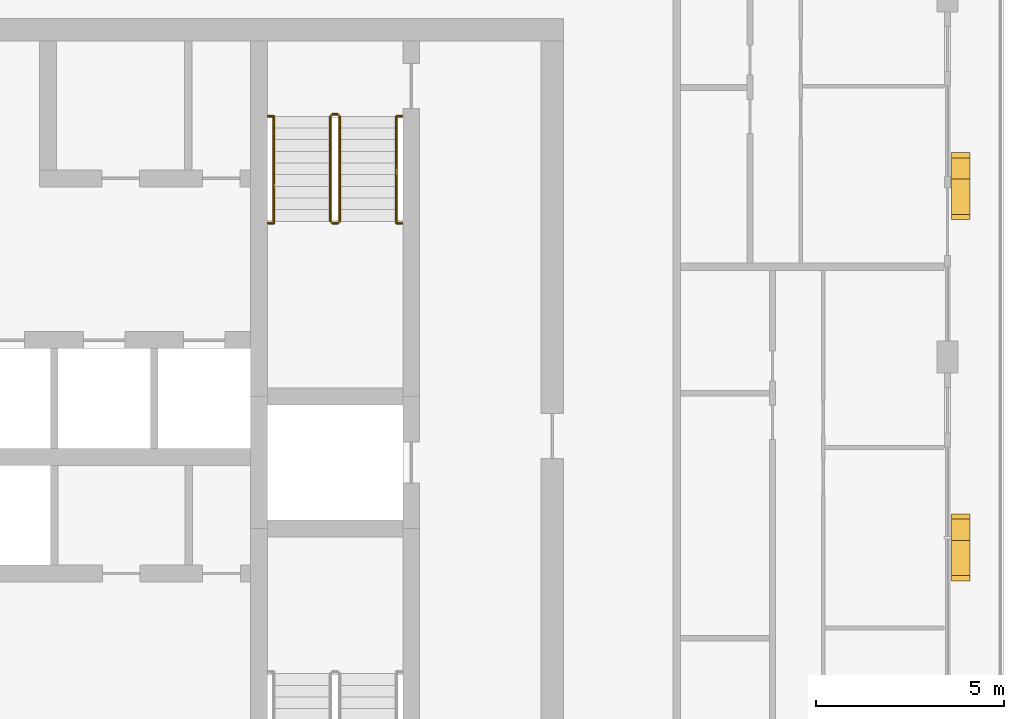
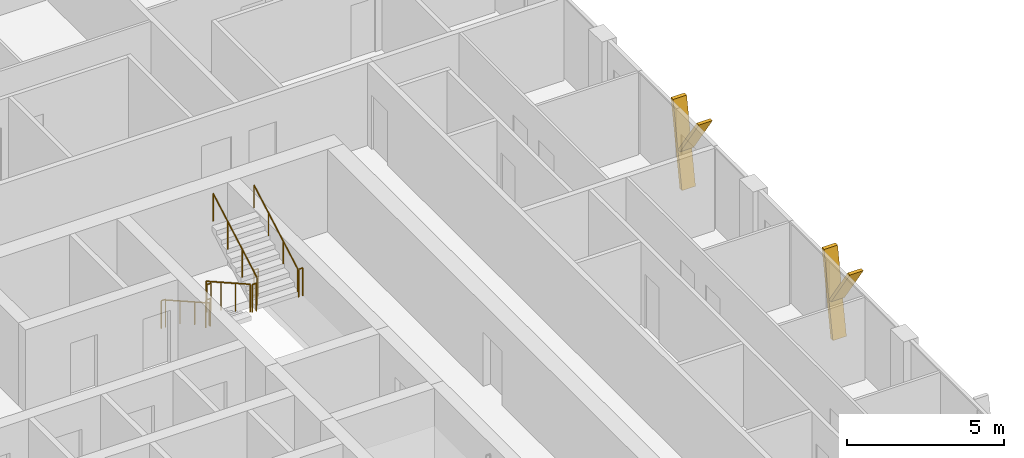
# One storey, part 20 of 21: 10 railings, 4 shading devices.
"""IFC4 building model written with IfcOpenShell, lengths in metres."""

import ifcopenshell
import ifcopenshell.guid

model = None  # the IFC model being written
_history = None  # IfcOwnerHistory: only IFC2X3 demands one
_inside = {}  # id of a spatial element -> (the spatial element, [elements in it])
_under = {}  # id of a project, library or spatial element -> (it, [spatial elements below it])
_declared = {}  # id of a project -> (the project, [libraries it declares])
_typed = {}  # id of a type object -> (the type object, [elements of that type])
_made_of = {}  # id of a material, layer set ... -> (it, [elements and type objects made of it])


def new_model(schema):
    """Start an empty IFC model of exactly this schema.

    Asked for "IFC4X3", IfcOpenShell would pick the latest addendum, in which some entities
    have other attributes; the version numbers below select the first issue.
    IFC2X3 requires an IfcOwnerHistory on every rooted entity: one is made here for all.
    """
    global model, _history
    if schema == "IFC4X3":
        model = ifcopenshell.file(schema_version=(4, 3, 0, 0))
    else:
        model = ifcopenshell.file(schema=schema)
    _inside.clear()
    _under.clear()
    _declared.clear()
    _typed.clear()
    _made_of.clear()
    _history = None
    if model.schema == "IFC2X3":
        org = make("IfcOrganization", Name="unknown")
        user = make(
            "IfcPersonAndOrganization",
            ThePerson=make("IfcPerson", FamilyName="unknown"),
            TheOrganization=org,
        )
        app = make(
            "IfcApplication",
            ApplicationDeveloper=org,
            Version="unknown",
            ApplicationFullName="unknown",
            ApplicationIdentifier="unknown",
        )
        _history = make(
            "IfcOwnerHistory",
            OwningUser=user,
            OwningApplication=app,
            ChangeAction="ADDED",
            CreationDate=0,
        )
    return model


def make(cls, **values):
    """One entity of the class cls with the attributes given. An attribute that is None is left unset."""
    return model.create_entity(
        cls, **{name: value for name, value in values.items() if value is not None}
    )


def rooted(cls, **values):
    """An entity with a GlobalId (a new one), such as an element, a storey or a relation."""
    return make(cls, GlobalId=ifcopenshell.guid.new(), OwnerHistory=_history, **values)


def si_unit(unit_type, name, prefix=None):
    """IfcSIUnit, for example si_unit("LENGTHUNIT", "METRE", prefix="MILLI")."""
    return make("IfcSIUnit", UnitType=unit_type, Prefix=prefix, Name=name)


def assignment(units):
    """IfcUnitAssignment: the units of a project."""
    return None if units is None else make("IfcUnitAssignment", Units=units)


def point(xyz):
    """IfcCartesianPoint."""
    return None if xyz is None else make("IfcCartesianPoint", Coordinates=xyz)


def direction(xyz):
    """IfcDirection."""
    return None if xyz is None else make("IfcDirection", DirectionRatios=xyz)


def frame(location, z_axis=None, x_axis=None):
    """IfcAxis2Placement3D, a coordinate frame: its origin and axes. An axis left out is left unset."""
    return make(
        "IfcAxis2Placement3D",
        Location=point(location),
        Axis=direction(z_axis),
        RefDirection=direction(x_axis),
    )


def frame_2d(location, x_axis=None):
    """IfcAxis2Placement2D, a coordinate frame in the plane: its origin and x axis."""
    return make(
        "IfcAxis2Placement2D", Location=point(location), RefDirection=direction(x_axis)
    )


def origin():
    """The frame at (0, 0, 0) with its axes left unset."""
    return frame((0.0, 0.0, 0.0))


def origin_2d():
    """The frame at (0, 0) in the plane with its x axis left unset."""
    return frame_2d((0.0, 0.0))


def place(relative_to, where):
    """IfcLocalPlacement: puts the frame where relative to a parent placement (None: the world)."""
    return make(
        "IfcLocalPlacement", PlacementRelTo=relative_to, RelativePlacement=where
    )


def context(
    kind, dimensions, precision=None, world=None, true_north=None, identifier=None
):
    """IfcGeometricRepresentationContext, for example the 3D "Model" context."""
    return make(
        "IfcGeometricRepresentationContext",
        ContextIdentifier=identifier,
        ContextType=kind,
        CoordinateSpaceDimension=dimensions,
        Precision=precision,
        WorldCoordinateSystem=world,
        TrueNorth=true_north,
    )


def subcontext(parent, identifier, kind, view, scale=None):
    """IfcGeometricRepresentationSubContext, for example "Body" below "Model"."""
    return make(
        "IfcGeometricRepresentationSubContext",
        ContextIdentifier=identifier,
        ContextType=kind,
        ParentContext=parent,
        TargetScale=scale,
        TargetView=view,
    )


def project(units=None, contexts=None):
    """IfcProject with its units and contexts."""
    return rooted(
        "IfcProject",
        Name="project",
        RepresentationContexts=contexts,
        UnitsInContext=assignment(units),
    )


def spatial(cls, under=None, at=None, **own):
    """A site, building, storey or space (cls), placed at a placement, below another one or the project."""
    s = rooted(cls, ObjectPlacement=at, **own)
    if under is not None:
        _under.setdefault(under.id(), (under, []))[1].append(s)
    return s


def polyline(points):
    """IfcPolyline through the points."""
    return make("IfcPolyline", Points=[point(p) for p in points])


def profile(cls, at=None, kind="AREA", **sizes):
    """A parametric profile (cls). Its sizes go by their IFC names, for example OverallWidth=200.0."""
    return make(cls, ProfileType=kind, Position=at, **sizes)


def circle(**sizes):
    """IfcCircleProfileDef."""
    return profile("IfcCircleProfileDef", **sizes)


def outline(outer, holes=None, kind="AREA"):
    """IfcArbitraryClosedProfileDef: a profile drawn as a closed curve; with holes, ...WithVoids."""
    if holes is None:
        return make("IfcArbitraryClosedProfileDef", ProfileType=kind, OuterCurve=outer)
    return make(
        "IfcArbitraryProfileDefWithVoids",
        ProfileType=kind,
        OuterCurve=outer,
        InnerCurves=holes,
    )


def extrude(swept, where, along, depth):
    """IfcExtrudedAreaSolid: the profile swept, set in the frame where, extruded along a direction by depth."""
    return make(
        "IfcExtrudedAreaSolid",
        SweptArea=swept,
        Position=where,
        ExtrudedDirection=direction(along),
        Depth=depth,
    )


def shape(context_of_items, identifier, shape_type, items):
    """IfcShapeRepresentation: the items that make up one representation, for example the "Body"."""
    return make(
        "IfcShapeRepresentation",
        ContextOfItems=context_of_items,
        RepresentationIdentifier=identifier,
        RepresentationType=shape_type,
        Items=items,
    )


def material(Name=None, Category=None):
    """IfcMaterial."""
    return make("IfcMaterial", Name=Name, Category=Category)


def made_of(thing, what):
    """Note that an element or type object is made of a material, layer set ...; save() writes the relation."""
    if what is not None:
        _made_of.setdefault(what.id(), (what, []))[1].append(thing)
    return thing


def type_object(cls, material=None, **own):
    """A type object (cls), such as IfcWallType, which elements share."""
    return made_of(rooted(cls, **own), material)


def element(
    cls,
    number,
    at=None,
    inside=None,
    cuts=None,
    type_object=None,
    material=None,
    context=None,
    identifier="Body",
    shape_type=None,
    held_by="IfcProductDefinitionShape",
    body=None,
    shapes=None,
    **own,
):
    """One element of the class cls, such as IfcWall. Its Tag is "e" and its number.

    at: its placement. inside: the storey or other place that contains it. cuts: it is an
    opening in that element (IfcRelVoidsElement). A single representation is given by context,
    identifier, shape_type and body (its items); several are given by shapes. held_by: the class
    of the entity that holds the representations. save() writes the other relations.
    """
    e = rooted(cls, Tag="e%d" % number, ObjectPlacement=at, **own)
    if body is not None:
        shapes = [shape(context, identifier, shape_type, body)]
    if shapes is not None:
        e.Representation = make(held_by, Representations=shapes)
    if inside is not None:
        _inside.setdefault(inside.id(), (inside, []))[1].append(e)
    if cuts is not None:
        rooted(
            "IfcRelVoidsElement", RelatingBuildingElement=cuts, RelatedOpeningElement=e
        )
    if type_object is not None:
        _typed.setdefault(type_object.id(), (type_object, []))[1].append(e)
    return made_of(e, material)


def aggregate(whole, parts):
    """IfcRelAggregates: a whole, such as a stair, and the parts it consists of."""
    return rooted("IfcRelAggregates", RelatingObject=whole, RelatedObjects=parts)


def save(model, path):
    """Write the relations noted so far, then the file.

    IfcRelAggregates (storeys below a building ...), IfcRelContainedInSpatialStructure (elements
    in a storey), IfcRelDefinesByType, IfcRelAssociatesMaterial and IfcRelDeclares: one each for
    every whole, place, type object, material and project.
    """
    for whole, parts in _under.values():
        aggregate(whole, parts)
    for where, things in _inside.values():
        rooted(
            "IfcRelContainedInSpatialStructure",
            RelatedElements=things,
            RelatingStructure=where,
        )
    for kind, things in _typed.values():
        rooted("IfcRelDefinesByType", RelatedObjects=things, RelatingType=kind)
    for what, things in _made_of.values():
        rooted("IfcRelAssociatesMaterial", RelatedObjects=things, RelatingMaterial=what)
    for by, libraries in _declared.values():
        rooted("IfcRelDeclares", RelatingContext=by, RelatedDefinitions=libraries)
    model.write(path)


model = new_model("IFC4")

# Units and contexts
model_context = context("Model", 3, precision=1e-05, world=origin(), true_north=direction((0.0, 1.0)))
body_context = subcontext(model_context, "Body", "Model", "MODEL_VIEW")
ifc_project = project(units=[si_unit("LENGTHUNIT", "METRE"), si_unit("AREAUNIT", "SQUARE_METRE"), si_unit("VOLUMEUNIT", "CUBIC_METRE"), si_unit("PLANEANGLEUNIT", "RADIAN"), si_unit("MASSUNIT", "GRAM", prefix="KILO")], contexts=[model_context])

# Site, building, storey
site_placement = place(None, origin())
site = spatial("IfcSite", under=ifc_project, at=site_placement, CompositionType="ELEMENT")
building_placement = place(site_placement, origin())
building = spatial("IfcBuilding", under=site, at=building_placement, Name="Madar Terraces", CompositionType="ELEMENT")
storey_placement = place(building_placement, frame((0.0, 0.0, 238.699951171875)))
storey = spatial("IfcBuildingStorey", under=building, at=storey_placement, Name="L62", CompositionType="ELEMENT", Elevation=238.699951171875)

# Shading devices
ifc_material_1 = material(Name="Aluminium, black anodised", Category="aluminium")
shading_device_type = type_object("IfcShadingDeviceType", Name="Facade fin blade 140 x 500", PredefinedType="USERDEFINED", material=ifc_material_1)
shading_device_1_placement = place(storey_placement, frame((57.949951171875, 23.929931640625, 0.0), z_axis=(0.0, 0.0, 1.0), x_axis=(0.0, 1.0, 0.0)))
element("IfcShadingDevice", 1, at=shading_device_1_placement, inside=storey, type_object=shading_device_type, Name="FIN L62 E2", ObjectType="FIN", PredefinedType="USERDEFINED", context=body_context, shape_type="SweptSolid", body=[
    extrude(outline(polyline([(0.0, 0.0), (0.14013671875, 0.0), (0.704345703125, 3.199951171875), (0.564208984375, 3.199951171875), (0.0, 0.0)])), frame((0.0, 0.25, 0.0), z_axis=(0.0, -1.0, 0.0), x_axis=(1.0, 0.0, 0.0)), (0.0, 0.0, 1.0), 0.5),
])
shading_device_2_placement = place(storey_placement, frame((57.949951171875, 24.0439453125, 1.43994140625), z_axis=(0.0, 0.0, 1.0), x_axis=(0.0, 1.0, 0.0)))
element("IfcShadingDevice", 2, at=shading_device_2_placement, inside=storey, type_object=shading_device_type, Name="FIN L62 E2 branch", ObjectType="FIN", PredefinedType="USERDEFINED", context=body_context, shape_type="SweptSolid", body=[
    extrude(outline(polyline([(0.0, 0.0), (0.139892578125, 0.0), (-1.049560546875, 1.760009765625), (-1.189697265625, 1.760009765625), (0.0, 0.0)])), frame((0.0, 0.25, 0.0), z_axis=(0.0, -1.0, 0.0), x_axis=(1.0, 0.0, 0.0)), (0.0, 0.0, 1.0), 0.5),
])
shading_device_3_placement = place(storey_placement, frame((57.949951171875, 33.530029296875, 0.0), z_axis=(0.0, 0.0, 1.0), x_axis=(0.0, 1.0, 0.0)))
element("IfcShadingDevice", 3, at=shading_device_3_placement, inside=storey, type_object=shading_device_type, Name="FIN L62 E3", ObjectType="FIN", PredefinedType="USERDEFINED", context=body_context, shape_type="SweptSolid", body=[
    extrude(outline(polyline([(0.0, 0.0), (0.139892578125, 0.0), (0.704345703125, 3.199951171875), (0.564208984375, 3.199951171875), (0.0, 0.0)])), frame((0.0, 0.25, 0.0), z_axis=(0.0, -1.0, 0.0), x_axis=(1.0, 0.0, 0.0)), (0.0, 0.0, 1.0), 0.5),
])
shading_device_4_placement = place(storey_placement, frame((57.949951171875, 33.643798828125, 1.43994140625), z_axis=(0.0, 0.0, 1.0), x_axis=(0.0, 1.0, 0.0)))
element("IfcShadingDevice", 4, at=shading_device_4_placement, inside=storey, type_object=shading_device_type, Name="FIN L62 E3 branch", ObjectType="FIN", PredefinedType="USERDEFINED", context=body_context, shape_type="SweptSolid", body=[
    extrude(outline(polyline([(0.0, 0.0), (0.14013671875, 0.0), (-1.049560546875, 1.760009765625), (-1.189697265625, 1.760009765625), (0.0, 0.0)])), frame((0.0, 0.25, 0.0), z_axis=(0.0, -1.0, 0.0), x_axis=(1.0, 0.0, 0.0)), (0.0, 0.0, 1.0), 0.5),
])

# Railings
ifc_material_2 = material(Name="Stainless steel railing", Category="steel")
railing_type_1 = type_object("IfcRailingType", Name="Stair guard 1100", PredefinedType="GUARDRAIL", material=ifc_material_2)
railing_1_placement = place(storey_placement, frame((41.199951171875, 35.199951171875, 0.175048828125)))
element("IfcRailing", 5, at=railing_1_placement, inside=storey, type_object=railing_type_1, Name="L62 ST2 stair guard 1", PredefinedType="GUARDRAIL", context=body_context, shape_type="SweptSolid", body=[
    extrude(circle(Radius=0.02392578125, at=origin_2d()), frame((0.0, 0.0, 1.076171875), z_axis=(0.0, -0.870833779661, 0.491577591232), x_axis=(1.0, 0.0, 0.0)), (0.0, 0.0, 1.0), 3.203857421875),
    extrude(circle(Radius=0.02099609375, at=origin_2d()), origin(), (0.0, 0.0, 1.0), 1.052001953125),
    extrude(circle(Radius=0.02099609375, at=origin_2d()), frame((0.0, -0.929931640625, 0.52490234375)), (0.0, 0.0, 1.0), 1.052001953125),
    extrude(circle(Radius=0.02099609375, at=origin_2d()), frame((0.0, -1.860107421875, 1.050048828125)), (0.0, 0.0, 1.0), 1.052001953125),
    extrude(circle(Radius=0.02099609375, at=origin_2d()), frame((0.0, -2.7900390625, 1.574951171875)), (0.0, 0.0, 1.0), 1.052001953125),
])
railing_2_placement = place(storey_placement, frame((41.25, 32.360107421875, 1.75)))
element("IfcRailing", 6, at=railing_2_placement, inside=storey, type_object=railing_type_1, Name="L62 ST2 stair guard 2", PredefinedType="GUARDRAIL", context=body_context, shape_type="SweptSolid", body=[
    extrude(circle(Radius=0.02392578125, at=origin_2d()), frame((0.0, 0.0, 1.076171875), z_axis=(1.0, 0.0, 0.0), x_axis=(0.0, 1.0, 0.0)), (0.0, 0.0, 1.0), 0.14990234375),
    extrude(circle(Radius=0.02099609375, at=origin_2d()), origin(), (0.0, 0.0, 1.0), 1.052001953125),
    extrude(circle(Radius=0.02099609375, at=origin_2d()), frame((0.14990234375, 0.0, 0.0)), (0.0, 0.0, 1.0), 1.052001953125),
])
railing_3_placement = place(storey_placement, frame((41.449951171875, 32.409912109375, 1.925048828125)))
element("IfcRailing", 7, at=railing_3_placement, inside=storey, type_object=railing_type_1, Name="L62 ST2 stair guard 3", PredefinedType="GUARDRAIL", context=body_context, shape_type="SweptSolid", body=[
    extrude(circle(Radius=0.02392578125, at=origin_2d()), frame((0.0, 0.0, 1.076171875), z_axis=(0.0, 0.870833779661, 0.491577591232), x_axis=(-1.0, 0.0, 0.0)), (0.0, 0.0, 1.0), 3.203857421875),
    extrude(circle(Radius=0.02099609375, at=origin_2d()), origin(), (0.0, 0.0, 1.0), 1.052001953125),
    extrude(circle(Radius=0.02099609375, at=origin_2d()), frame((0.0, 0.929931640625, 0.52490234375)), (0.0, 0.0, 1.0), 1.052001953125),
    extrude(circle(Radius=0.02099609375, at=origin_2d()), frame((0.0, 1.860107421875, 1.050048828125)), (0.0, 0.0, 1.0), 1.052001953125),
    extrude(circle(Radius=0.02099609375, at=origin_2d()), frame((0.0, 2.7900390625, 1.574951171875)), (0.0, 0.0, 1.0), 1.052001953125),
])
railing_4_placement = place(storey_placement, frame((41.25, 35.25, 0.0)))
element("IfcRailing", 8, at=railing_4_placement, inside=storey, type_object=railing_type_1, Name="L62 ST2 stair guard 4", PredefinedType="GUARDRAIL", context=body_context, shape_type="SweptSolid", body=[
    extrude(circle(Radius=0.02392578125, at=origin_2d()), frame((0.0, 0.0, 1.076171875), z_axis=(1.0, 0.0, 0.0), x_axis=(0.0, 1.0, 0.0)), (0.0, 0.0, 1.0), 0.14990234375),
    extrude(circle(Radius=0.02099609375, at=origin_2d()), origin(), (0.0, 0.0, 1.0), 1.052001953125),
    extrude(circle(Radius=0.02099609375, at=origin_2d()), frame((0.14990234375, 0.0, 0.0)), (0.0, 0.0, 1.0), 1.052001953125),
])
for number, where, name in (
    (9, (39.544921875, 32.360107421875, 1.75), "L62 stair guard seat 1"),
    (10, (42.949951171875, 32.360107421875, 1.75), "L62 stair guard seat 2"),
    (11, (39.544921875, 35.199951171875, 0.0), "L62 stair guard floor 1"),
    (12, (42.949951171875, 35.199951171875, 0.0), "L62 stair guard floor 2"),
):
    element("IfcRailing", number, at=place(storey_placement, frame(where)), inside=storey, type_object=railing_type_1, Name=name, PredefinedType="GUARDRAIL", context=body_context, shape_type="SweptSolid", body=[
        extrude(circle(Radius=0.02392578125, at=origin_2d()), frame((0.0, 0.0, 1.076171875), z_axis=(1.0, 0.0, 0.0), x_axis=(0.0, 1.0, 0.0)), (0.0, 0.0, 1.0), 0.155029296875),
        extrude(circle(Radius=0.02099609375, at=origin_2d()), origin(), (0.0, 0.0, 1.0), 1.052001953125),
        extrude(circle(Radius=0.02099609375, at=origin_2d()), frame((0.155029296875, 0.0, 0.0)), (0.0, 0.0, 1.0), 1.052001953125),
    ])
ifc_material_3 = material(Name="Stainless steel railing", Category="steel")
railing_type_2 = type_object("IfcRailingType", Name="Stair handrail 900", PredefinedType="HANDRAIL", material=ifc_material_3)
railing_5_placement = place(storey_placement, frame((39.699951171875, 35.199951171875, 0.175048828125)))
element("IfcRailing", 13, at=railing_5_placement, inside=storey, type_object=railing_type_2, Name="L62 ST2 stair handrail 1", PredefinedType="HANDRAIL", context=body_context, shape_type="SweptSolid", body=[
    extrude(circle(Radius=0.02392578125, at=origin_2d()), frame((0.0, 0.0, 0.8759765625), z_axis=(0.0, -0.870833779661, 0.491577591232), x_axis=(1.0, 0.0, 0.0)), (0.0, 0.0, 1.0), 3.203857421875),
    extrude(circle(Radius=0.02099609375, at=origin_2d()), origin(), (0.0, 0.0, 1.0), 0.851806640625),
    extrude(circle(Radius=0.02099609375, at=origin_2d()), frame((0.0, -0.929931640625, 0.52490234375)), (0.0, 0.0, 1.0), 0.851806640625),
    extrude(circle(Radius=0.02099609375, at=origin_2d()), frame((0.0, -1.860107421875, 1.050048828125)), (0.0, 0.0, 1.0), 0.851806640625),
    extrude(circle(Radius=0.02099609375, at=origin_2d()), frame((0.0, -2.7900390625, 1.574951171875)), (0.0, 0.0, 1.0), 0.851806640625),
])
railing_6_placement = place(storey_placement, frame((42.949951171875, 32.409912109375, 1.925048828125)))
element("IfcRailing", 14, at=railing_6_placement, inside=storey, type_object=railing_type_2, Name="L62 ST2 stair handrail 2", PredefinedType="HANDRAIL", context=body_context, shape_type="SweptSolid", body=[
    extrude(circle(Radius=0.02392578125, at=origin_2d()), frame((0.0, 0.0, 0.8759765625), z_axis=(0.0, 0.870833779661, 0.491577591232), x_axis=(-1.0, 0.0, 0.0)), (0.0, 0.0, 1.0), 3.203857421875),
    extrude(circle(Radius=0.02099609375, at=origin_2d()), origin(), (0.0, 0.0, 1.0), 0.851806640625),
    extrude(circle(Radius=0.02099609375, at=origin_2d()), frame((0.0, 0.929931640625, 0.52490234375)), (0.0, 0.0, 1.0), 0.851806640625),
    extrude(circle(Radius=0.02099609375, at=origin_2d()), frame((0.0, 1.860107421875, 1.050048828125)), (0.0, 0.0, 1.0), 0.851806640625),
    extrude(circle(Radius=0.02099609375, at=origin_2d()), frame((0.0, 2.7900390625, 1.574951171875)), (0.0, 0.0, 1.0), 0.851806640625),
])

save(model, "model.ifc")
